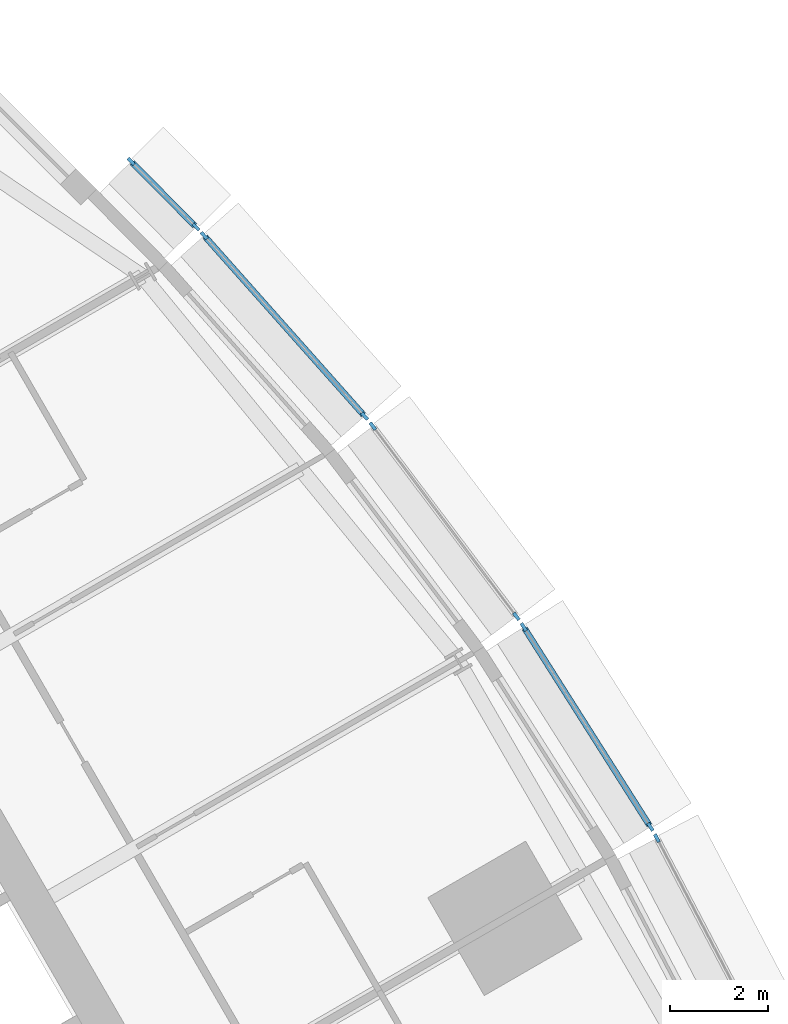
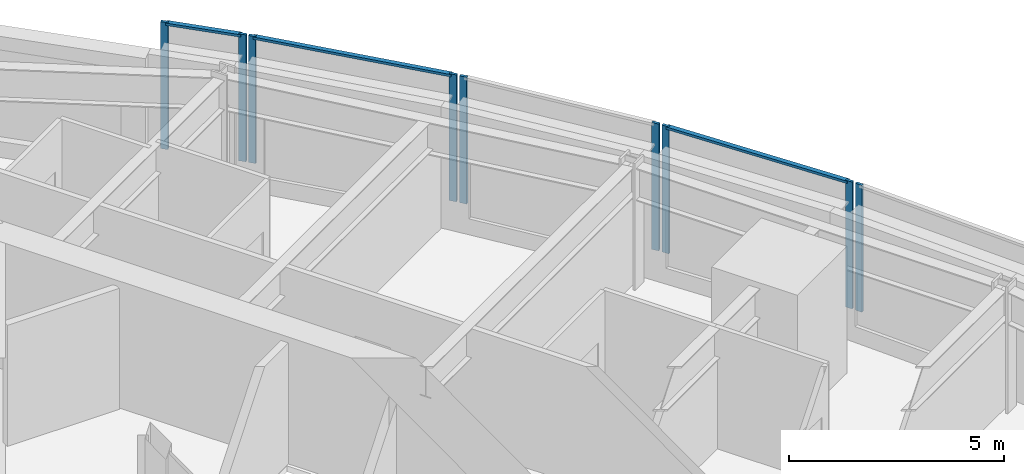
# One storey, part 6 of 15: 12 members, 5 elements without a shape of their own.
"""IFC4 building model written with IfcOpenShell, lengths in metres."""

from ifc_helpers import new_model, si_unit, direction, frame, origin, origin_2d, place, context, subcontext, project, spatial, rectangle, extrude, material, material_profile, profile_set, type_object, element, aggregate, save


model = new_model("IFC4")

# Units and contexts
model_context = context("Model", 3, precision=1e-05, world=origin(), true_north=direction((0.0, 1.0)))
body_context = subcontext(model_context, "Body", "Model", "MODEL_VIEW")
ifc_project = project(units=[si_unit("LENGTHUNIT", "METRE"), si_unit("AREAUNIT", "SQUARE_METRE"), si_unit("VOLUMEUNIT", "CUBIC_METRE"), si_unit("PLANEANGLEUNIT", "RADIAN"), si_unit("MASSUNIT", "GRAM", prefix="KILO")], contexts=[model_context])

# Site, building, storey
site_placement = place(None, origin())
site = spatial("IfcSite", under=ifc_project, at=site_placement, CompositionType="ELEMENT")
building_placement = place(site_placement, origin())
building = spatial("IfcBuilding", under=site, at=building_placement, Name="Trikona Tower", CompositionType="ELEMENT")
storey_placement = place(building_placement, frame((0.0, 0.0, 226.10009765625)))
storey = spatial("IfcBuildingStorey", under=building, at=storey_placement, Name="L60", CompositionType="ELEMENT", Elevation=226.10009765625)

# Curtain wall, member
ifc_material_1 = material(Name="Aluminium curtain wall system", Category="aluminium")
curtain_wall_type = type_object("IfcCurtainWallType", Name="Curtain wall DS3", PredefinedType="NOTDEFINED", material=ifc_material_1)
curtain_wall_1_placement = place(storey_placement, origin())
curtain_wall_1 = element("IfcCurtainWall", 1, at=curtain_wall_1_placement, inside=storey, type_object=curtain_wall_type, Name="Curtain wall DS3 L60", PredefinedType="NOTDEFINED")
ifc_material_2 = material(Name="Aluminium mullion, pale anodised", Category="aluminium")
ifc_material_profile_1 = material_profile(ifc_material_2, rectangle(XDim=0.070068359375, YDim=0.179931640625, at=origin_2d()), Name="MUL-DS3")
ifc_profile_set_1 = profile_set([ifc_material_profile_1], Name="Aluminium mullion, pale anodised")
member_type_1 = type_object("IfcMemberType", Name="Mullion DS3 70x180", PredefinedType="MULLION", material=ifc_profile_set_1)
member_1_placement = place(storey_placement, frame((18.40234375, 10.472412109375, 0.0), z_axis=(0.0, 0.0, 1.0), x_axis=(-0.885862390527, -0.463948084434, 0.0)))
member_1 = element("IfcMember", 2, at=member_1_placement, type_object=member_type_1, Name="CW-DS3 mullion 2", PredefinedType="MULLION", context=body_context, shape_type="SweptSolid", body=[
    extrude(rectangle(XDim=0.070068359375, YDim=0.179931640625, at=origin_2d()), origin(), (0.0, 0.0, 1.0), 3.599853515625),
])
aggregate(curtain_wall_1, [member_1])

# Curtain wall, members
curtain_wall_2_placement = place(storey_placement, origin())
curtain_wall_2 = element("IfcCurtainWall", 3, at=curtain_wall_2_placement, inside=storey, type_object=curtain_wall_type, Name="Curtain wall DS3 L60", PredefinedType="NOTDEFINED")
member_2_placement = place(storey_placement, frame((18.2705078125, 10.700927734375, 0.0), z_axis=(0.0, 0.0, 1.0), x_axis=(-0.844727131858, -0.535197227854, 0.0)))
member_2 = element("IfcMember", 4, at=member_2_placement, type_object=member_type_1, Name="CW-DS3 mullion 1", PredefinedType="MULLION", context=body_context, shape_type="SweptSolid", body=[
    extrude(rectangle(XDim=0.070068359375, YDim=0.179931640625, at=origin_2d()), origin(), (0.0, 0.0, 1.0), 3.599853515625),
])
member_3_placement = place(storey_placement, frame((15.69384765625, 14.767578125, 0.0), z_axis=(0.0, 0.0, 1.0), x_axis=(-0.844727131858, -0.535197227854, 0.0)))
member_3 = element("IfcMember", 5, at=member_3_placement, type_object=member_type_1, Name="CW-DS3 mullion 2", PredefinedType="MULLION", context=body_context, shape_type="SweptSolid", body=[
    extrude(rectangle(XDim=0.070068359375, YDim=0.179931640625, at=origin_2d()), origin(), (0.0, 0.0, 1.0), 3.599853515625),
])

curtain_wall_3_placement = place(storey_placement, origin())
curtain_wall_3 = element("IfcCurtainWall", 6, at=curtain_wall_3_placement, inside=storey, type_object=curtain_wall_type, Name="Curtain wall DS3 L60", PredefinedType="NOTDEFINED")
member_4_placement = place(storey_placement, frame((15.5439453125, 14.984130859375, 0.0), z_axis=(0.0, 0.0, 1.0), x_axis=(-0.798193208724, -0.602401528506, 0.0)))
member_4 = element("IfcMember", 7, at=member_4_placement, type_object=member_type_1, Name="CW-DS3 mullion 1", PredefinedType="MULLION", context=body_context, shape_type="SweptSolid", body=[
    extrude(rectangle(XDim=0.070068359375, YDim=0.179931640625, at=origin_2d()), origin(), (0.0, 0.0, 1.0), 3.599853515625),
])
member_5_placement = place(storey_placement, frame((12.62353515625, 18.853759765625, 0.0), z_axis=(0.0, 0.0, 1.0), x_axis=(-0.798193208724, -0.602401528506, 0.0)))
member_5 = element("IfcMember", 8, at=member_5_placement, type_object=member_type_1, Name="CW-DS3 mullion 2", PredefinedType="MULLION", context=body_context, shape_type="SweptSolid", body=[
    extrude(rectangle(XDim=0.070068359375, YDim=0.179931640625, at=origin_2d()), origin(), (0.0, 0.0, 1.0), 3.599853515625),
])
aggregate(curtain_wall_3, [member_4, member_5])

curtain_wall_4_placement = place(storey_placement, origin())
curtain_wall_4 = element("IfcCurtainWall", 9, at=curtain_wall_4_placement, inside=storey, type_object=curtain_wall_type, Name="Curtain wall DS3 L60", PredefinedType="NOTDEFINED")
member_6_placement = place(storey_placement, frame((12.45751953125, 19.056396484375, 0.0), z_axis=(0.0, 0.0, 1.0), x_axis=(-0.747402677853, -0.664371309689, 0.0)))
member_6 = element("IfcMember", 10, at=member_6_placement, type_object=member_type_1, Name="CW-DS3 mullion 1", PredefinedType="MULLION", context=body_context, shape_type="SweptSolid", body=[
    extrude(rectangle(XDim=0.070068359375, YDim=0.179931640625, at=origin_2d()), origin(), (0.0, 0.0, 1.0), 3.599853515625),
])
member_7_placement = place(storey_placement, frame((9.192138671875, 22.729736328125, 0.0), z_axis=(0.0, 0.0, 1.0), x_axis=(-0.747402677853, -0.664371309689, 0.0)))
member_7 = element("IfcMember", 11, at=member_7_placement, type_object=member_type_1, Name="CW-DS3 mullion 2", PredefinedType="MULLION", context=body_context, shape_type="SweptSolid", body=[
    extrude(rectangle(XDim=0.070068359375, YDim=0.179931640625, at=origin_2d()), origin(), (0.0, 0.0, 1.0), 3.599853515625),
])

curtain_wall_5_placement = place(storey_placement, origin())
curtain_wall_5 = element("IfcCurtainWall", 12, at=curtain_wall_5_placement, inside=storey, type_object=curtain_wall_type, Name="Curtain wall DS3 L60", PredefinedType="NOTDEFINED")
member_8_placement = place(storey_placement, frame((9.028564453125, 22.904052734375, 0.0), z_axis=(0.0, 0.0, 1.0), x_axis=(-0.710051900554, -0.704149343903, 0.0)))
member_8 = element("IfcMember", 13, at=member_8_placement, type_object=member_type_1, Name="CW-DS3 mullion 1", PredefinedType="MULLION", context=body_context, shape_type="SweptSolid", body=[
    extrude(rectangle(XDim=0.070068359375, YDim=0.179931640625, at=origin_2d()), origin(), (0.0, 0.0, 1.0), 3.599853515625),
])
member_9_placement = place(storey_placement, frame((7.7060546875, 24.237548828125, 0.0), z_axis=(0.0, 0.0, 1.0), x_axis=(-0.710051900554, -0.704149343903, 0.0)))
member_9 = element("IfcMember", 14, at=member_9_placement, type_object=member_type_1, Name="CW-DS3 mullion 2", PredefinedType="MULLION", context=body_context, shape_type="SweptSolid", body=[
    extrude(rectangle(XDim=0.070068359375, YDim=0.179931640625, at=origin_2d()), origin(), (0.0, 0.0, 1.0), 3.599853515625),
])

# Member
ifc_material_3 = material(Name="Aluminium transom, pale anodised", Category="aluminium")
ifc_material_profile_2 = material_profile(ifc_material_3, rectangle(XDim=0.1201171875, YDim=0.070068359375, at=origin_2d()), Name="TRN-DS3")
ifc_profile_set_2 = profile_set([ifc_material_profile_2], Name="Aluminium transom, pale anodised")
member_type_2 = type_object("IfcMemberType", Name="Transom DS3 70x120", PredefinedType="USERDEFINED", material=ifc_profile_set_2)
member_10_placement = place(storey_placement, frame((18.251708984375, 10.73046875, 3.56494140625), z_axis=(-0.535192866729, 0.844729894938, 0.0), x_axis=(-0.844729894938, -0.535192866729, 0.0)))
member_10 = element("IfcMember", 15, at=member_10_placement, type_object=member_type_2, Name="CW-DS3 transom 1.1", ObjectType="TRANSOM", PredefinedType="USERDEFINED", context=body_context, shape_type="SweptSolid", body=[
    extrude(rectangle(XDim=0.1201171875, YDim=0.070068359375, at=origin_2d()), origin(), (0.0, 0.0, 1.0), 4.744140625),
])

aggregate(curtain_wall_2, [member_2, member_3, member_10])

member_11_placement = place(storey_placement, frame((12.43408203125, 19.08251953125, 3.56494140625), z_axis=(-0.66436383883, 0.747409318684, 0.0), x_axis=(-0.747409318684, -0.66436383883, 0.0)))
member_11 = element("IfcMember", 16, at=member_11_placement, type_object=member_type_2, Name="CW-DS3 transom 1.1", ObjectType="TRANSOM", PredefinedType="USERDEFINED", context=body_context, shape_type="SweptSolid", body=[
    extrude(rectangle(XDim=0.1201171875, YDim=0.070068359375, at=origin_2d()), origin(), (0.0, 0.0, 1.0), 4.844970703125),
])

aggregate(curtain_wall_4, [member_6, member_7, member_11])

member_12_placement = place(storey_placement, frame((9.00390625, 22.9287109375, 3.56494140625), z_axis=(-0.704130668076, 0.710070420645, 0.0), x_axis=(-0.710070420645, -0.704130668076, 0.0)))
member_12 = element("IfcMember", 17, at=member_12_placement, type_object=member_type_2, Name="CW-DS3 transom 1.1", ObjectType="TRANSOM", PredefinedType="USERDEFINED", context=body_context, shape_type="SweptSolid", body=[
    extrude(rectangle(XDim=0.1201171875, YDim=0.070068359375, at=origin_2d()), origin(), (0.0, 0.0, 1.0), 1.80859375),
])

aggregate(curtain_wall_5, [member_8, member_9, member_12])

save(model, "model.ifc")
